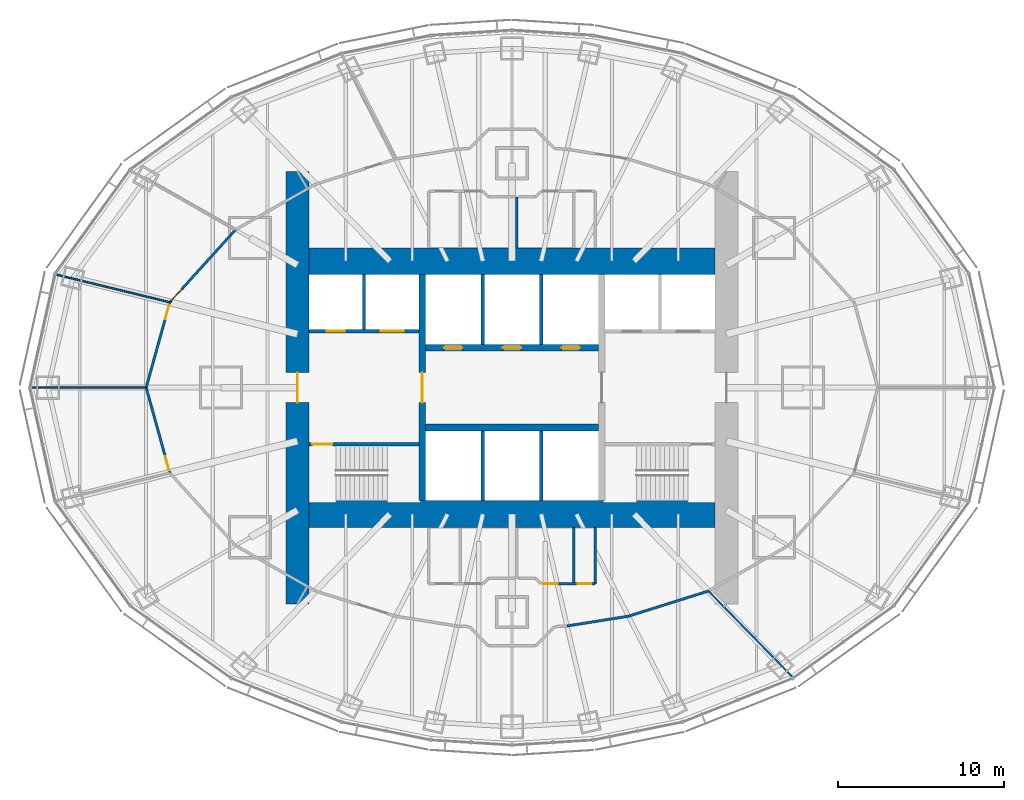
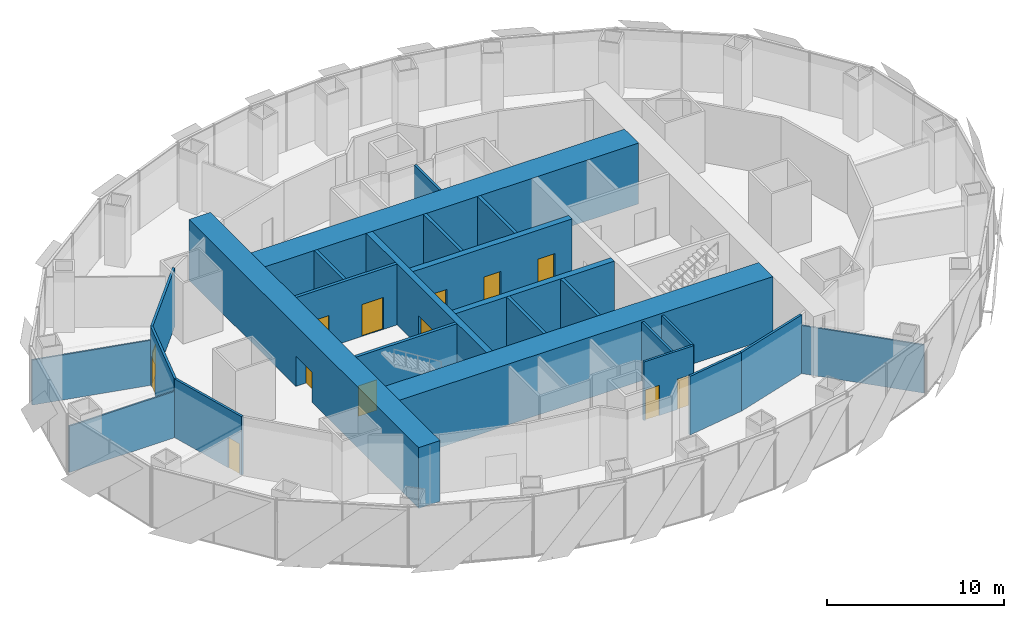
# One storey, part 11 of 17: 25 walls, 13 doors, 13 openings.
"""IFC4 building model written with IfcOpenShell, lengths in metres."""

from ifc_helpers import new_model, si_unit, direction, frame, frame_2d, origin, place, context, subcontext, project, spatial, rectangle, extrude, material, layer, layer_set, type_object, element, fill, save


model = new_model("IFC4")

# Units and contexts
model_context = context("Model", 3, precision=1e-05, world=origin(), true_north=direction((0.0, 1.0)))
body_context = subcontext(model_context, "Body", "Model", "MODEL_VIEW")
ifc_project = project(units=[si_unit("LENGTHUNIT", "METRE"), si_unit("AREAUNIT", "SQUARE_METRE"), si_unit("VOLUMEUNIT", "CUBIC_METRE"), si_unit("PLANEANGLEUNIT", "RADIAN"), si_unit("MASSUNIT", "GRAM", prefix="KILO")], contexts=[model_context])

# Site, building, storey
site_placement = place(None, origin())
site = spatial("IfcSite", under=ifc_project, at=site_placement, CompositionType="ELEMENT")
building_placement = place(site_placement, origin())
building = spatial("IfcBuilding", under=site, at=building_placement, Name="Lantaw Convention Tower", CompositionType="ELEMENT")
storey_placement = place(building_placement, frame((0.0, 0.0, 125.800048828125)))
storey = spatial("IfcBuildingStorey", under=building, at=storey_placement, Name="L29", CompositionType="ELEMENT", Elevation=125.800048828125)

# Wall, opening, door
ifc_material_1 = material(Name="Concrete C60/75", Category="concrete")
ifc_layer_1 = layer(ifc_material_1, 1.39990234375)
ifc_layer_set_1 = layer_set([ifc_layer_1], Name="Core wall 1400")
wall_type_1 = type_object("IfcWallType", Name="Core wall 1400", PredefinedType="SHEAR", material=ifc_layer_set_1)
wall_1_placement = place(storey_placement, frame((-12.89990234375, 13.0, 0.0), z_axis=(0.0, 0.0, 1.0), x_axis=(0.0, -1.0, 0.0)))
wall_1 = element("IfcWall", 1, at=wall_1_placement, inside=storey, type_object=wall_type_1, Name="Core wall W", PredefinedType="SHEAR", context=body_context, shape_type="SweptSolid", body=[
    extrude(rectangle(XDim=26.0, YDim=1.39990234375, at=frame_2d((13.0, 0.0))), origin(), (0.0, 0.0, 1.0), 4.199951171875),
])
opening_1_placement = place(wall_1_placement, frame((12.10009765625, 0.0, 0.0)))
opening_1 = element("IfcOpeningElement", 2, at=opening_1_placement, cuts=wall_1, Name="Opening L29.06", PredefinedType="OPENING", context=body_context, shape_type="SweptSolid", body=[
    extrude(rectangle(XDim=1.800048828125, YDim=2.10009765625, at=frame_2d((0.89990234375, 1.050048828125))), frame((0.0, 0.7099609375, 0.0), z_axis=(0.0, -1.0, 0.0), x_axis=(1.0, 0.0, 0.0)), (0.0, 0.0, 1.0), 1.419921875),
])
ifc_material_2 = material(Name="Steel, fire rated", Category="steel")
door_type_1 = type_object("IfcDoorType", Name="Lobby double door FD90", OperationType="DOUBLE_DOOR_DOUBLE_SWING", PredefinedType="DOOR", material=ifc_material_2)
door_1_placement = place(opening_1_placement, origin())
door_1 = element("IfcDoor", 3, at=door_1_placement, inside=storey, type_object=door_type_1, Name="Firefighting lobby door", OperationType="DOUBLE_DOOR_DOUBLE_SWING", OverallHeight=2.10009765625, OverallWidth=1.800048828125, PredefinedType="DOOR", context=body_context, shape_type="SweptSolid", body=[
    extrude(rectangle(XDim=1.800048828125, YDim=2.10009765625, at=frame_2d((0.89990234375, 1.050048828125))), frame((0.0, 0.02490234375, 0.0), z_axis=(0.0, -1.0, 0.0), x_axis=(1.0, 0.0, 0.0)), (0.0, 0.0, 1.0), 0.050048828125),
])
fill(opening_1, door_1)

# Walls
ifc_layer_2 = layer(ifc_material_1, 1.60009765625)
ifc_layer_set_2 = layer_set([ifc_layer_2], Name="Core wall 1600")
wall_type_2 = type_object("IfcWallType", Name="Core wall 1600", PredefinedType="SHEAR", material=ifc_layer_set_2)
for number, where, z_axis, x_axis, name in (
    (4, (-12.199951171875, -7.60009765625, 0.0), (0.0, 0.0, 1.0), (1.0, 0.0, 0.0), "Core wall S"),
    (5, (12.199951171875, 7.60009765625, 0.0), (0.0, 0.0, 1.0), (-1.0, 0.0, 0.0), "Core wall N"),
):
    element("IfcWall", number, at=place(storey_placement, frame(where, z_axis=z_axis, x_axis=x_axis)), inside=storey, type_object=wall_type_2, Name=name, PredefinedType="SHEAR", context=body_context, shape_type="SweptSolid", body=[
        extrude(rectangle(XDim=24.39990234375, YDim=1.60009765625, at=frame_2d((12.199951171875, 0.0))), origin(), (0.0, 0.0, 1.0), 4.199951171875),
    ])

# Wall, opening, door
ifc_layer_3 = layer(ifc_material_1, 0.199951171875)
ifc_layer_set_3 = layer_set([ifc_layer_3], Name="Core wall 200")
wall_type_3 = type_object("IfcWallType", Name="Core wall 200", PredefinedType="SHEAR", material=ifc_layer_set_3)
wall_2_placement = place(storey_placement, frame((-5.60009765625, -3.39990234375, 0.0), z_axis=(0.0, 0.0, 1.0), x_axis=(-1.0, 0.0, 0.0)))
wall_2 = element("IfcWall", 6, at=wall_2_placement, inside=storey, type_object=wall_type_3, Name="Core wall WS", PredefinedType="SHEAR", context=body_context, shape_type="SweptSolid", body=[
    extrude(rectangle(XDim=6.599853515625, YDim=0.199951171875, at=frame_2d((3.2998046875, 0.0))), origin(), (0.0, 0.0, 1.0), 4.199951171875),
])
opening_2_placement = place(wall_2_placement, frame((5.199951171875, 0.0, 0.0)))
opening_2 = element("IfcOpeningElement", 7, at=opening_2_placement, cuts=wall_2, Name="Opening L29.04", PredefinedType="OPENING", context=body_context, shape_type="SweptSolid", body=[
    extrude(rectangle(XDim=1.199951171875, YDim=2.10009765625, at=frame_2d((0.60009765625, 1.050048828125))), frame((0.0, 0.10986328125, 0.0), z_axis=(0.0, -1.0, 0.0), x_axis=(1.0, 0.0, 0.0)), (0.0, 0.0, 1.0), 0.219970703125),
])
door_type_2 = type_object("IfcDoorType", Name="Stair door FD90", OperationType="SINGLE_SWING_RIGHT", PredefinedType="DOOR", material=ifc_material_2)
door_2_placement = place(opening_2_placement, origin())
door_2 = element("IfcDoor", 8, at=door_2_placement, inside=storey, type_object=door_type_2, Name="Exit stair door", OperationType="SINGLE_SWING_RIGHT", OverallHeight=2.10009765625, OverallWidth=1.199951171875, PredefinedType="DOOR", context=body_context, shape_type="SweptSolid", body=[
    extrude(rectangle(XDim=1.199951171875, YDim=2.10009765625, at=frame_2d((0.60009765625, 1.050048828125))), frame((0.0, 0.02490234375, 0.0), z_axis=(0.0, -1.0, 0.0), x_axis=(1.0, 0.0, 0.0)), (0.0, 0.0, 1.0), 0.050048828125),
])
fill(opening_2, door_2)

ifc_layer_4 = layer(ifc_material_1, 0.39990234375)
ifc_layer_set_4 = layer_set([ifc_layer_4], Name="Core wall 400")
wall_type_4 = type_object("IfcWallType", Name="Core wall 400", PredefinedType="SHEAR", material=ifc_layer_set_4)
wall_3_placement = place(storey_placement, frame((-5.39990234375, 6.800048828125, 0.0), z_axis=(0.0, 0.0, 1.0), x_axis=(0.0, -1.0, 0.0)))
wall_3 = element("IfcWall", 9, at=wall_3_placement, inside=storey, type_object=wall_type_4, Name="Core wall XW", PredefinedType="SHEAR", context=body_context, shape_type="SweptSolid", body=[
    extrude(rectangle(XDim=13.60009765625, YDim=0.39990234375, at=frame_2d((6.800048828125, 0.0))), origin(), (0.0, 0.0, 1.0), 4.199951171875),
])
opening_3_placement = place(wall_3_placement, frame((5.89990234375, 0.0, 0.0)))
opening_3 = element("IfcOpeningElement", 10, at=opening_3_placement, cuts=wall_3, Name="Opening L29.02", PredefinedType="OPENING", context=body_context, shape_type="SweptSolid", body=[
    extrude(rectangle(XDim=1.800048828125, YDim=2.10009765625, at=frame_2d((0.89990234375, 1.050048828125))), frame((0.0, 0.2099609375, 0.0), z_axis=(0.0, -1.0, 0.0), x_axis=(1.0, 0.0, 0.0)), (0.0, 0.0, 1.0), 0.419921875),
])
door_3_placement = place(opening_3_placement, origin())
door_3 = element("IfcDoor", 11, at=door_3_placement, inside=storey, type_object=door_type_1, Name="Lift lobby door", OperationType="DOUBLE_DOOR_DOUBLE_SWING", OverallHeight=2.10009765625, OverallWidth=1.800048828125, PredefinedType="DOOR", context=body_context, shape_type="SweptSolid", body=[
    extrude(rectangle(XDim=1.800048828125, YDim=2.10009765625, at=frame_2d((0.89990234375, 1.050048828125))), frame((0.0, 0.02490234375, 0.0), z_axis=(0.0, -1.0, 0.0), x_axis=(1.0, 0.0, 0.0)), (0.0, 0.0, 1.0), 0.050048828125),
])
fill(opening_3, door_3)

# Wall
wall_4_placement = place(storey_placement, frame((-5.199951171875, -2.39990234375, 0.0), z_axis=(0.0, 0.0, 1.0), x_axis=(1.0, 0.0, 0.0)))
element("IfcWall", 12, at=wall_4_placement, inside=storey, type_object=wall_type_4, Name="Core wall BS", PredefinedType="SHEAR", context=body_context, shape_type="SweptSolid", body=[
    extrude(rectangle(XDim=10.39990234375, YDim=0.39990234375, at=frame_2d((5.199951171875, 0.0))), origin(), (0.0, 0.0, 1.0), 4.199951171875),
])

# Wall, openings, doors
wall_5_placement = place(storey_placement, frame((5.199951171875, 2.39990234375, 0.0), z_axis=(0.0, 0.0, 1.0), x_axis=(-1.0, 0.0, 0.0)))
wall_5 = element("IfcWall", 13, at=wall_5_placement, inside=storey, type_object=wall_type_4, Name="Core wall BN", PredefinedType="SHEAR", context=body_context, shape_type="SweptSolid", body=[
    extrude(rectangle(XDim=10.39990234375, YDim=0.39990234375, at=frame_2d((5.199951171875, 0.0))), origin(), (0.0, 0.0, 1.0), 4.199951171875),
])
opening_4_placement = place(wall_5_placement, frame((8.183349609375, 0.0, 0.0)))
opening_4 = element("IfcOpeningElement", 14, at=opening_4_placement, cuts=wall_5, Name="Opening L29.07", PredefinedType="OPENING", context=body_context, shape_type="SweptSolid", body=[
    extrude(rectangle(XDim=1.10009765625, YDim=2.199951171875, at=frame_2d((0.550048828125, 1.10009765625))), frame((0.0, 0.2099609375, 0.0), z_axis=(0.0, -1.0, 0.0), x_axis=(1.0, 0.0, 0.0)), (0.0, 0.0, 1.0), 0.419921875),
])
opening_5_placement = place(wall_5_placement, frame((4.64990234375, 0.0, 0.0)))
opening_5 = element("IfcOpeningElement", 15, at=opening_5_placement, cuts=wall_5, Name="Opening L29.08", PredefinedType="OPENING", context=body_context, shape_type="SweptSolid", body=[
    extrude(rectangle(XDim=1.10009765625, YDim=2.199951171875, at=frame_2d((0.550048828125, 1.10009765625))), frame((0.0, 0.2099609375, 0.0), z_axis=(0.0, -1.0, 0.0), x_axis=(1.0, 0.0, 0.0)), (0.0, 0.0, 1.0), 0.419921875),
])
opening_6_placement = place(wall_5_placement, frame((1.11669921875, 0.0, 0.0)))
opening_6 = element("IfcOpeningElement", 16, at=opening_6_placement, cuts=wall_5, Name="Opening L29.09", PredefinedType="OPENING", context=body_context, shape_type="SweptSolid", body=[
    extrude(rectangle(XDim=1.10009765625, YDim=2.199951171875, at=frame_2d((0.550048828125, 1.10009765625))), frame((0.0, 0.2099609375, 0.0), z_axis=(0.0, -1.0, 0.0), x_axis=(1.0, 0.0, 0.0)), (0.0, 0.0, 1.0), 0.419921875),
])
ifc_material_3 = material(Name="Stainless steel", Category="steel")
door_type_3 = type_object("IfcDoorType", Name="Lift landing door 1100", OperationType="DOUBLE_DOOR_SLIDING", PredefinedType="DOOR", material=ifc_material_3)
door_4_placement = place(opening_4_placement, origin())
door_4 = element("IfcDoor", 17, at=door_4_placement, inside=storey, type_object=door_type_3, Name="Lift landing door N1", OperationType="DOUBLE_DOOR_SLIDING", OverallHeight=2.199951171875, OverallWidth=1.10009765625, PredefinedType="DOOR", context=body_context, shape_type="SweptSolid", body=[
    extrude(rectangle(XDim=1.10009765625, YDim=2.199951171875, at=frame_2d((0.550048828125, 1.10009765625))), frame((0.0, 0.02490234375, 0.0), z_axis=(0.0, -1.0, 0.0), x_axis=(1.0, 0.0, 0.0)), (0.0, 0.0, 1.0), 0.050048828125),
])
fill(opening_4, door_4)
door_5_placement = place(opening_5_placement, origin())
door_5 = element("IfcDoor", 18, at=door_5_placement, inside=storey, type_object=door_type_3, Name="Lift landing door N2", OperationType="DOUBLE_DOOR_SLIDING", OverallHeight=2.199951171875, OverallWidth=1.10009765625, PredefinedType="DOOR", context=body_context, shape_type="SweptSolid", body=[
    extrude(rectangle(XDim=1.10009765625, YDim=2.199951171875, at=frame_2d((0.550048828125, 1.10009765625))), frame((0.0, 0.02490234375, 0.0), z_axis=(0.0, -1.0, 0.0), x_axis=(1.0, 0.0, 0.0)), (0.0, 0.0, 1.0), 0.050048828125),
])
fill(opening_5, door_5)
door_6_placement = place(opening_6_placement, origin())
door_6 = element("IfcDoor", 19, at=door_6_placement, inside=storey, type_object=door_type_3, Name="Lift landing door N3", OperationType="DOUBLE_DOOR_SLIDING", OverallHeight=2.199951171875, OverallWidth=1.10009765625, PredefinedType="DOOR", context=body_context, shape_type="SweptSolid", body=[
    extrude(rectangle(XDim=1.10009765625, YDim=2.199951171875, at=frame_2d((0.550048828125, 1.10009765625))), frame((0.0, 0.02490234375, 0.0), z_axis=(0.0, -1.0, 0.0), x_axis=(1.0, 0.0, 0.0)), (0.0, 0.0, 1.0), 0.050048828125),
])
fill(opening_6, door_6)

# Wall, opening, door
ifc_material_4 = material(Name="Gypsum board on steel studs, fire rated", Category="steel")
ifc_layer_5 = layer(ifc_material_4, 0.14990234375)
ifc_layer_set_5 = layer_set([ifc_layer_5], Name="Corridor wall 150 EI 60")
wall_type_5 = type_object("IfcWallType", Name="Corridor wall 150 EI 60", PredefinedType="PARTITIONING", material=ifc_layer_set_5)
wall_6_placement = place(storey_placement, frame((-16.62255859375, 9.49853515625, 0.0), z_axis=(0.0, 0.0, 1.0), x_axis=(-0.671118353743, -0.741350224435, 0.0)))
wall_6 = element("IfcWall", 20, at=wall_6_placement, inside=storey, type_object=wall_type_5, Name="Corridor wall 150", PredefinedType="PARTITIONING", context=body_context, shape_type="SweptSolid", body=[
    extrude(rectangle(XDim=5.89208984375, YDim=0.14990234375, at=frame_2d((2.946044921875, 0.0))), origin(), (0.0, 0.0, 1.0), 4.050048828125),
])
opening_7_placement = place(wall_6_placement, frame((4.84228515625, 0.0, 0.0)))
opening_7 = element("IfcOpeningElement", 21, at=opening_7_placement, cuts=wall_6, Name="Opening L29.24", PredefinedType="OPENING", context=body_context, shape_type="SweptSolid", body=[
    extrude(rectangle(XDim=0.89990234375, YDim=2.10009765625, at=frame_2d((0.449951171875, 1.050048828125))), frame((0.0, 0.0849609375, 0.0), z_axis=(0.0, -1.0, 0.0), x_axis=(1.0, 0.0, 0.0)), (0.0, 0.0, 1.0), 0.169921875),
])
door_type_4 = type_object("IfcDoorType", Name="Office door 900 FD30", OperationType="SINGLE_SWING_LEFT", PredefinedType="DOOR", material=ifc_material_2)
door_7_placement = place(opening_7_placement, origin())
door_7 = element("IfcDoor", 22, at=door_7_placement, inside=storey, type_object=door_type_4, Name="Nap room door", OperationType="SINGLE_SWING_LEFT", OverallHeight=2.10009765625, OverallWidth=0.89990234375, PredefinedType="DOOR", context=body_context, shape_type="SweptSolid", body=[
    extrude(rectangle(XDim=0.89990234375, YDim=2.10009765625, at=frame_2d((0.449951171875, 1.050048828125))), frame((0.0, 0.02490234375, 0.0), z_axis=(0.0, -1.0, 0.0), x_axis=(1.0, 0.0, 0.0)), (0.0, 0.0, 1.0), 0.050048828125),
])
fill(opening_7, door_7)

wall_7_placement = place(storey_placement, frame((-20.576904296875, 5.13037109375, 0.0), z_axis=(0.0, 0.0, 1.0), x_axis=(-0.267293817428, -0.963615076244, 0.0)))
wall_7 = element("IfcWall", 23, at=wall_7_placement, inside=storey, type_object=wall_type_5, Name="Corridor wall 150", PredefinedType="PARTITIONING", context=body_context, shape_type="SweptSolid", body=[
    extrude(rectangle(XDim=5.323974609375, YDim=0.14990234375, at=frame_2d((2.662109375, 0.0))), origin(), (0.0, 0.0, 1.0), 4.050048828125),
])
opening_8_placement = place(wall_7_placement, frame((0.14990234375, 0.0, 0.0)))
opening_8 = element("IfcOpeningElement", 24, at=opening_8_placement, cuts=wall_7, Name="Opening L29.25", PredefinedType="OPENING", context=body_context, shape_type="SweptSolid", body=[
    extrude(rectangle(XDim=0.89990234375, YDim=2.10009765625, at=frame_2d((0.449951171875, 1.050048828125))), frame((0.0, 0.0849609375, 0.0), z_axis=(0.0, -1.0, 0.0), x_axis=(1.0, 0.0, 0.0)), (0.0, 0.0, 1.0), 0.169921875),
])
door_8_placement = place(opening_8_placement, origin())
door_8 = element("IfcDoor", 25, at=door_8_placement, inside=storey, type_object=door_type_4, Name="Quiet room door", OperationType="SINGLE_SWING_LEFT", OverallHeight=2.10009765625, OverallWidth=0.89990234375, PredefinedType="DOOR", context=body_context, shape_type="SweptSolid", body=[
    extrude(rectangle(XDim=0.89990234375, YDim=2.10009765625, at=frame_2d((0.449951171875, 1.050048828125))), frame((0.0, 0.02490234375, 0.0), z_axis=(0.0, -1.0, 0.0), x_axis=(1.0, 0.0, 0.0)), (0.0, 0.0, 1.0), 0.050048828125),
])
fill(opening_8, door_8)

wall_8_placement = place(storey_placement, frame((-22.0, 0.0, 0.0), z_axis=(0.0, 0.0, 1.0), x_axis=(0.267293817428, -0.963615076244, 0.0)))
wall_8 = element("IfcWall", 26, at=wall_8_placement, inside=storey, type_object=wall_type_5, Name="Corridor wall 150", PredefinedType="PARTITIONING", context=body_context, shape_type="SweptSolid", body=[
    extrude(rectangle(XDim=5.323974609375, YDim=0.14990234375, at=frame_2d((2.662109375, 0.0))), origin(), (0.0, 0.0, 1.0), 4.050048828125),
])
opening_9_placement = place(wall_8_placement, frame((4.274169921875, 0.0, 0.0)))
opening_9 = element("IfcOpeningElement", 27, at=opening_9_placement, cuts=wall_8, Name="Opening L29.26", PredefinedType="OPENING", context=body_context, shape_type="SweptSolid", body=[
    extrude(rectangle(XDim=0.89990234375, YDim=2.10009765625, at=frame_2d((0.449951171875, 1.050048828125))), frame((0.0, 0.0849609375, 0.0), z_axis=(0.0, -1.0, 0.0), x_axis=(1.0, 0.0, 0.0)), (0.0, 0.0, 1.0), 0.169921875),
])
door_9_placement = place(opening_9_placement, origin())
door_9 = element("IfcDoor", 28, at=door_9_placement, inside=storey, type_object=door_type_4, Name="24-hour pantry door", OperationType="SINGLE_SWING_LEFT", OverallHeight=2.10009765625, OverallWidth=0.89990234375, PredefinedType="DOOR", context=body_context, shape_type="SweptSolid", body=[
    extrude(rectangle(XDim=0.89990234375, YDim=2.10009765625, at=frame_2d((0.449951171875, 1.050048828125))), frame((0.0, 0.02490234375, 0.0), z_axis=(0.0, -1.0, 0.0), x_axis=(1.0, 0.0, 0.0)), (0.0, 0.0, 1.0), 0.050048828125),
])
fill(opening_9, door_9)

# Walls
wall_9_placement = place(storey_placement, frame((3.3095703125, -14.3349609375, 0.0), z_axis=(0.0, 0.0, 1.0), x_axis=(0.987511396594, 0.157547585181, 0.0)))
element("IfcWall", 29, at=wall_9_placement, inside=storey, type_object=wall_type_5, Name="Corridor wall 150", PredefinedType="PARTITIONING", context=body_context, shape_type="SweptSolid", body=[
    extrude(rectangle(XDim=3.74072265625, YDim=0.14990234375, at=frame_2d((1.870361328125, 0.0))), origin(), (0.0, 0.0, 1.0), 4.050048828125),
])
wall_10_placement = place(storey_placement, frame((7.003662109375, -13.74560546875, 0.0), z_axis=(0.0, 0.0, 1.0), x_axis=(0.953893934057, 0.300143903101, 0.0)))
element("IfcWall", 30, at=wall_10_placement, inside=storey, type_object=wall_type_5, Name="Corridor wall 150", PredefinedType="PARTITIONING", context=body_context, shape_type="SweptSolid", body=[
    extrude(rectangle(XDim=5.04150390625, YDim=0.14990234375, at=frame_2d((2.520751953125, 0.0))), origin(), (0.0, 0.0, 1.0), 4.050048828125),
])
ifc_material_5 = material(Name="Gypsum board on steel studs, acoustic", Category="steel")
ifc_layer_6 = layer(ifc_material_5, 0.10009765625)
ifc_layer_set_6 = layer_set([ifc_layer_6], Name="Office partition 100")
wall_type_6 = type_object("IfcWallType", Name="Office partition 100", PredefinedType="PARTITIONING", material=ifc_layer_set_6)
wall_11_placement = place(storey_placement, frame((-27.440673828125, 6.808837890625, 0.0), z_axis=(0.0, 0.0, 1.0), x_axis=(0.971377572955, -0.237540755996, 0.0)))
element("IfcWall", 31, at=wall_11_placement, inside=storey, type_object=wall_type_6, Name="Office partition 100", PredefinedType="PARTITIONING", context=body_context, shape_type="SweptSolid", body=[
    extrude(rectangle(XDim=7.06591796875, YDim=0.10009765625, at=frame_2d((3.532958984375, 0.0))), origin(), (0.0, 0.0, 1.0), 3.11279296875),
])
wall_12_placement = place(storey_placement, frame((-28.944091796875, 0.0, 0.0), z_axis=(0.0, 0.0, 1.0), x_axis=(1.0, 0.0, 0.0)))
element("IfcWall", 32, at=wall_12_placement, inside=storey, type_object=wall_type_6, Name="Office partition 100", PredefinedType="PARTITIONING", context=body_context, shape_type="SweptSolid", body=[
    extrude(rectangle(XDim=6.944091796875, YDim=0.10009765625, at=frame_2d((3.47216796875, 0.0))), origin(), (0.0, 0.0, 1.0), 3.2041015625),
])
wall_13_placement = place(storey_placement, frame((16.88232421875, -17.413818359375, 0.0), z_axis=(0.0, 0.0, 1.0), x_axis=(-0.699352142517, 0.714777294517, 0.0)))
element("IfcWall", 33, at=wall_13_placement, inside=storey, type_object=wall_type_6, Name="Office partition 100", PredefinedType="PARTITIONING", context=body_context, shape_type="SweptSolid", body=[
    extrude(rectangle(XDim=7.2490234375, YDim=0.10009765625, at=frame_2d((3.62451171875, 0.0))), origin(), (0.0, 0.0, 1.0), 3.321044921875),
])
ifc_material_6 = material(Name="Concrete blockwork, fire rated", Category="masonry")
ifc_layer_7 = layer(ifc_material_6, 0.199951171875)
ifc_layer_set_7 = layer_set([ifc_layer_7], Name="Shaft wall 200")
wall_type_7 = type_object("IfcWallType", Name="Shaft wall 200", PredefinedType="SOLIDWALL", material=ifc_layer_set_7)
for number, where, z_axis, x_axis, name in (
    (34, (-1.7666015625, 2.60009765625, 0.0), (0.0, 0.0, 1.0), (0.0, 1.0, 0.0), "Shaft wall DN1"),
    (35, (1.7666015625, 2.60009765625, 0.0), (0.0, 0.0, 1.0), (0.0, 1.0, 0.0), "Shaft wall DN2"),
):
    element("IfcWall", number, at=place(storey_placement, frame(where, z_axis=z_axis, x_axis=x_axis)), inside=storey, type_object=wall_type_7, Name=name, PredefinedType="SOLIDWALL", context=body_context, shape_type="SweptSolid", body=[
        extrude(rectangle(XDim=4.199951171875, YDim=0.199951171875, at=frame_2d((2.10009765625, 0.0))), origin(), (0.0, 0.0, 1.0), 4.199951171875),
    ])

# Wall, openings, doors
wall_14_placement = place(storey_placement, frame((-12.199951171875, 3.39990234375, 0.0), z_axis=(0.0, 0.0, 1.0), x_axis=(1.0, 0.0, 0.0)))
wall_14 = element("IfcWall", 36, at=wall_14_placement, inside=storey, type_object=wall_type_7, Name="Shaft wall WN", PredefinedType="SOLIDWALL", context=body_context, shape_type="SweptSolid", body=[
    extrude(rectangle(XDim=6.599853515625, YDim=0.199951171875, at=frame_2d((3.2998046875, 0.0))), origin(), (0.0, 0.0, 1.0), 4.199951171875),
])
opening_10_placement = place(wall_14_placement, frame((1.050048828125, 0.0, 0.0)))
opening_10 = element("IfcOpeningElement", 37, at=opening_10_placement, cuts=wall_14, Name="Opening L29.10", PredefinedType="OPENING", context=body_context, shape_type="SweptSolid", body=[
    extrude(rectangle(XDim=1.10009765625, YDim=2.199951171875, at=frame_2d((0.550048828125, 1.10009765625))), frame((0.0, 0.10986328125, 0.0), z_axis=(0.0, -1.0, 0.0), x_axis=(1.0, 0.0, 0.0)), (0.0, 0.0, 1.0), 0.219970703125),
])
opening_11_placement = place(wall_14_placement, frame((4.300048828125, 0.0, 0.0)))
opening_11 = element("IfcOpeningElement", 38, at=opening_11_placement, cuts=wall_14, Name="Opening L29.11", PredefinedType="OPENING", context=body_context, shape_type="SweptSolid", body=[
    extrude(rectangle(XDim=1.39990234375, YDim=2.199951171875, at=frame_2d((0.699951171875, 1.10009765625))), frame((0.0, 0.10986328125, 0.0), z_axis=(0.0, -1.0, 0.0), x_axis=(1.0, 0.0, 0.0)), (0.0, 0.0, 1.0), 0.219970703125),
])
door_10_placement = place(opening_10_placement, origin())
door_10 = element("IfcDoor", 39, at=door_10_placement, inside=storey, type_object=door_type_3, Name="Lift landing door FF1", OperationType="DOUBLE_DOOR_SLIDING", OverallHeight=2.199951171875, OverallWidth=1.10009765625, PredefinedType="DOOR", context=body_context, shape_type="SweptSolid", body=[
    extrude(rectangle(XDim=1.10009765625, YDim=2.199951171875, at=frame_2d((0.550048828125, 1.10009765625))), frame((0.0, 0.02490234375, 0.0), z_axis=(0.0, -1.0, 0.0), x_axis=(1.0, 0.0, 0.0)), (0.0, 0.0, 1.0), 0.050048828125),
])
fill(opening_10, door_10)
door_type_5 = type_object("IfcDoorType", Name="Lift landing door 1400", OperationType="DOUBLE_DOOR_SLIDING", PredefinedType="DOOR", material=ifc_material_3)
door_11_placement = place(opening_11_placement, origin())
door_11 = element("IfcDoor", 40, at=door_11_placement, inside=storey, type_object=door_type_5, Name="Lift landing door SV1", OperationType="DOUBLE_DOOR_SLIDING", OverallHeight=2.199951171875, OverallWidth=1.39990234375, PredefinedType="DOOR", context=body_context, shape_type="SweptSolid", body=[
    extrude(rectangle(XDim=1.39990234375, YDim=2.199951171875, at=frame_2d((0.699951171875, 1.10009765625))), frame((0.0, 0.02490234375, 0.0), z_axis=(0.0, -1.0, 0.0), x_axis=(1.0, 0.0, 0.0)), (0.0, 0.0, 1.0), 0.050048828125),
])
fill(opening_11, door_11)

# Walls
wall_15_placement = place(storey_placement, frame((-8.89990234375, 3.5, 0.0), z_axis=(0.0, 0.0, 1.0), x_axis=(0.0, 1.0, 0.0)))
element("IfcWall", 41, at=wall_15_placement, inside=storey, type_object=wall_type_7, Name="Shaft wall WD", PredefinedType="SOLIDWALL", context=body_context, shape_type="SweptSolid", body=[
    extrude(rectangle(XDim=3.300048828125, YDim=0.199951171875, at=frame_2d((1.64990234375, 0.0))), origin(), (0.0, 0.0, 1.0), 4.199951171875),
])
ifc_layer_8 = layer(ifc_material_6, 0.199951171875)
ifc_layer_set_8 = layer_set([ifc_layer_8], Name="Shaft wall 200 load-bearing")
wall_type_8 = type_object("IfcWallType", Name="Shaft wall 200 load-bearing", PredefinedType="SOLIDWALL", material=ifc_layer_set_8)
for number, where, z_axis, x_axis, name in (
    (42, (-1.7666015625, -2.60009765625, 0.0), (0.0, 0.0, 1.0), (0.0, -1.0, 0.0), "Shaft wall DS1"),
    (43, (1.7666015625, -2.60009765625, 0.0), (0.0, 0.0, 1.0), (0.0, -1.0, 0.0), "Shaft wall DS2"),
):
    element("IfcWall", number, at=place(storey_placement, frame(where, z_axis=z_axis, x_axis=x_axis)), inside=storey, type_object=wall_type_8, Name=name, PredefinedType="SOLIDWALL", context=body_context, shape_type="SweptSolid", body=[
        extrude(rectangle(XDim=4.199951171875, YDim=0.199951171875, at=frame_2d((2.10009765625, 0.0))), origin(), (0.0, 0.0, 1.0), 4.199951171875),
    ])
ifc_material_7 = material(Name="Concrete blockwork", Category="masonry")
ifc_layer_9 = layer(ifc_material_7, 0.14990234375)
ifc_layer_set_9 = layer_set([ifc_layer_9], Name="WC wall 150")
wall_type_9 = type_object("IfcWallType", Name="WC wall 150", PredefinedType="SOLIDWALL", material=ifc_layer_set_9)
for number, where, z_axis, x_axis, name in (
    (44, (5.0, -8.39990234375, 0.0), (0.0, 0.0, 1.0), (0.0, -1.0, 0.0), "WC wall 150"),
    (45, (3.699951171875, -8.39990234375, 0.0), (0.0, 0.0, 1.0), (0.0, -1.0, 0.0), "WC wall 150"),
):
    element("IfcWall", number, at=place(storey_placement, frame(where, z_axis=z_axis, x_axis=x_axis)), inside=storey, type_object=wall_type_9, Name=name, PredefinedType="SOLIDWALL", context=body_context, shape_type="SweptSolid", body=[
        extrude(rectangle(XDim=3.400146484375, YDim=0.14990234375, at=frame_2d((1.7001953125, 0.0))), origin(), (0.0, 0.0, 1.0), 4.050048828125),
    ])

# Wall, openings, doors
wall_16_placement = place(storey_placement, frame((1.763671875, -11.800048828125, 0.0), z_axis=(0.0, 0.0, 1.0), x_axis=(1.0, 0.0, 0.0)))
wall_16 = element("IfcWall", 46, at=wall_16_placement, inside=storey, type_object=wall_type_9, Name="WC wall 150", PredefinedType="SOLIDWALL", context=body_context, shape_type="SweptSolid", body=[
    extrude(rectangle(XDim=3.236328125, YDim=0.14990234375, at=frame_2d((1.6181640625, 0.0))), origin(), (0.0, 0.0, 1.0), 4.050048828125),
])
opening_12_placement = place(wall_16_placement, frame((0.10009765625, 0.0, 0.0)))
opening_12 = element("IfcOpeningElement", 47, at=opening_12_placement, cuts=wall_16, Name="Opening L29.20", PredefinedType="OPENING", context=body_context, shape_type="SweptSolid", body=[
    extrude(rectangle(XDim=0.89990234375, YDim=2.10009765625, at=frame_2d((0.449951171875, 1.050048828125))), frame((0.0, 0.0849609375, 0.0), z_axis=(0.0, -1.0, 0.0), x_axis=(1.0, 0.0, 0.0)), (0.0, 0.0, 1.0), 0.169921875),
])
opening_13_placement = place(wall_16_placement, frame((2.199951171875, 0.0, 0.0)))
opening_13 = element("IfcOpeningElement", 48, at=opening_13_placement, cuts=wall_16, Name="Opening L29.21", PredefinedType="OPENING", context=body_context, shape_type="SweptSolid", body=[
    extrude(rectangle(XDim=0.800048828125, YDim=2.10009765625, at=frame_2d((0.39990234375, 1.050048828125))), frame((0.0, 0.0849609375, 0.0), z_axis=(0.0, -1.0, 0.0), x_axis=(1.0, 0.0, 0.0)), (0.0, 0.0, 1.0), 0.169921875),
])
ifc_material_8 = material(Name="Timber", Category="wood")
door_type_6 = type_object("IfcDoorType", Name="WC door 800", OperationType="SINGLE_SWING_LEFT", PredefinedType="DOOR", material=ifc_material_8)
door_12_placement = place(opening_13_placement, origin())
door_12 = element("IfcDoor", 49, at=door_12_placement, inside=storey, type_object=door_type_6, Name="Pantry door", OperationType="SINGLE_SWING_LEFT", OverallHeight=2.10009765625, OverallWidth=0.800048828125, PredefinedType="DOOR", context=body_context, shape_type="SweptSolid", body=[
    extrude(rectangle(XDim=0.800048828125, YDim=2.10009765625, at=frame_2d((0.39990234375, 1.050048828125))), frame((0.0, 0.02490234375, 0.0), z_axis=(0.0, -1.0, 0.0), x_axis=(1.0, 0.0, 0.0)), (0.0, 0.0, 1.0), 0.050048828125),
])
fill(opening_13, door_12)
door_type_7 = type_object("IfcDoorType", Name="WC door 900", OperationType="SINGLE_SWING_LEFT", PredefinedType="DOOR", material=ifc_material_8)
door_13_placement = place(opening_12_placement, origin())
door_13 = element("IfcDoor", 50, at=door_13_placement, inside=storey, type_object=door_type_7, Name="Female WC door", OperationType="SINGLE_SWING_LEFT", OverallHeight=2.10009765625, OverallWidth=0.89990234375, PredefinedType="DOOR", context=body_context, shape_type="SweptSolid", body=[
    extrude(rectangle(XDim=0.89990234375, YDim=2.10009765625, at=frame_2d((0.449951171875, 1.050048828125))), frame((0.0, 0.02490234375, 0.0), z_axis=(0.0, -1.0, 0.0), x_axis=(1.0, 0.0, 0.0)), (0.0, 0.0, 1.0), 0.050048828125),
])
fill(opening_12, door_13)

# Wall
wall_17_placement = place(storey_placement, frame((0.300048828125, 8.39990234375, 0.0), z_axis=(0.0, 0.0, 1.0), x_axis=(0.0, 1.0, 0.0)))
element("IfcWall", 51, at=wall_17_placement, inside=storey, type_object=wall_type_9, Name="WC wall 150", PredefinedType="SOLIDWALL", context=body_context, shape_type="SweptSolid", body=[
    extrude(rectangle(XDim=3.065185546875, YDim=0.14990234375, at=frame_2d((1.53271484375, 0.0))), origin(), (0.0, 0.0, 1.0), 4.050048828125),
])

save(model, "model.ifc")
